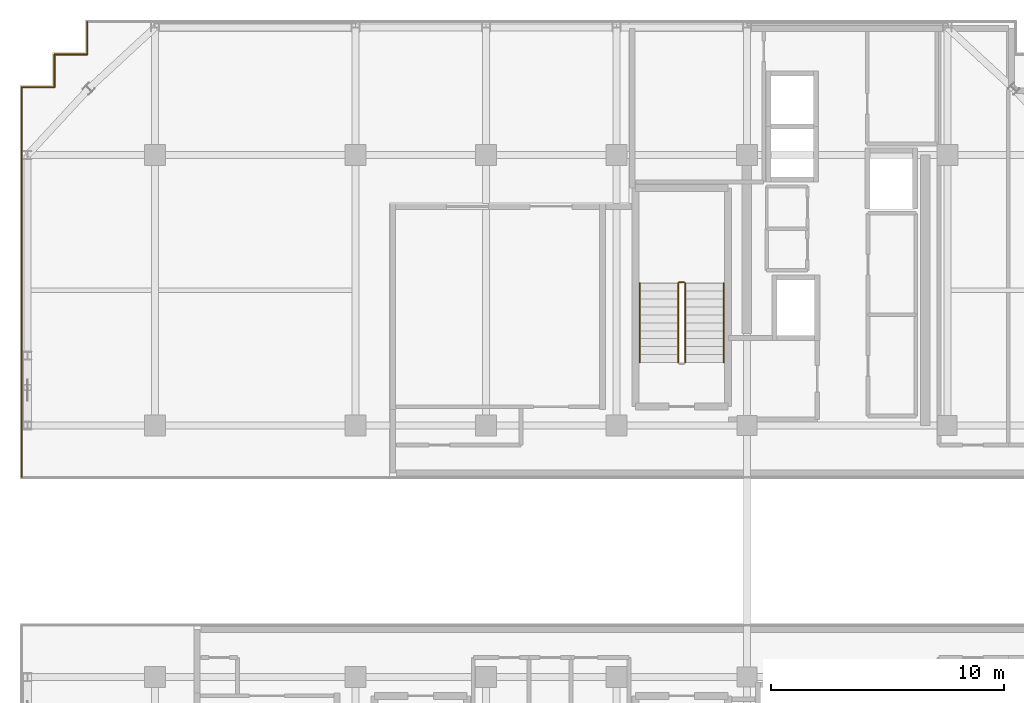
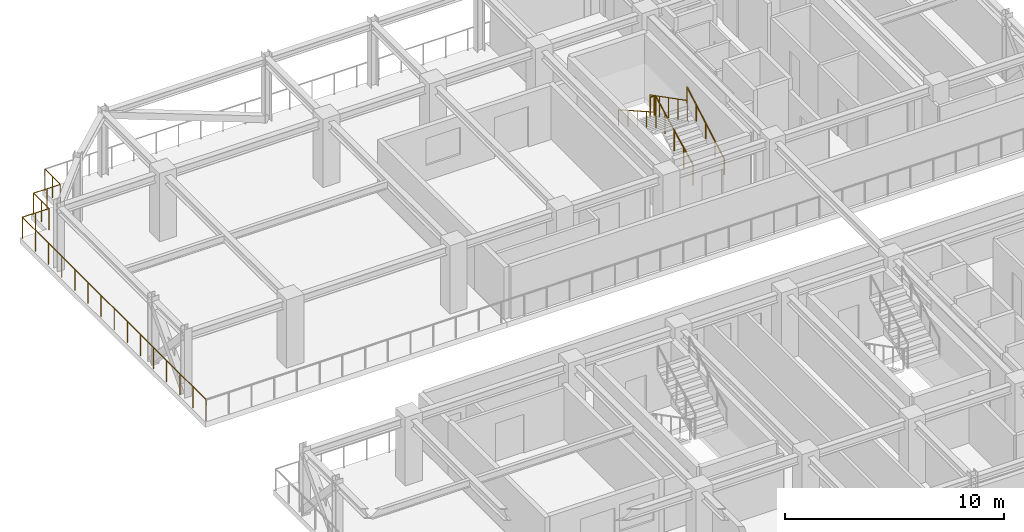
# One storey, part 13 of 14: 10 railings.
"""IFC4 building model written with IfcOpenShell, lengths in metres."""

import ifcopenshell
import ifcopenshell.guid

model = None  # the IFC model being written
_history = None  # IfcOwnerHistory: only IFC2X3 demands one
_inside = {}  # id of a spatial element -> (the spatial element, [elements in it])
_under = {}  # id of a project, library or spatial element -> (it, [spatial elements below it])
_declared = {}  # id of a project -> (the project, [libraries it declares])
_typed = {}  # id of a type object -> (the type object, [elements of that type])
_made_of = {}  # id of a material, layer set ... -> (it, [elements and type objects made of it])


def new_model(schema):
    """Start an empty IFC model of exactly this schema.

    Asked for "IFC4X3", IfcOpenShell would pick the latest addendum, in which some entities
    have other attributes; the version numbers below select the first issue.
    IFC2X3 requires an IfcOwnerHistory on every rooted entity: one is made here for all.
    """
    global model, _history
    if schema == "IFC4X3":
        model = ifcopenshell.file(schema_version=(4, 3, 0, 0))
    else:
        model = ifcopenshell.file(schema=schema)
    _inside.clear()
    _under.clear()
    _declared.clear()
    _typed.clear()
    _made_of.clear()
    _history = None
    if model.schema == "IFC2X3":
        org = make("IfcOrganization", Name="unknown")
        user = make(
            "IfcPersonAndOrganization",
            ThePerson=make("IfcPerson", FamilyName="unknown"),
            TheOrganization=org,
        )
        app = make(
            "IfcApplication",
            ApplicationDeveloper=org,
            Version="unknown",
            ApplicationFullName="unknown",
            ApplicationIdentifier="unknown",
        )
        _history = make(
            "IfcOwnerHistory",
            OwningUser=user,
            OwningApplication=app,
            ChangeAction="ADDED",
            CreationDate=0,
        )
    return model


def make(cls, **values):
    """One entity of the class cls with the attributes given. An attribute that is None is left unset."""
    return model.create_entity(
        cls, **{name: value for name, value in values.items() if value is not None}
    )


def rooted(cls, **values):
    """An entity with a GlobalId (a new one), such as an element, a storey or a relation."""
    return make(cls, GlobalId=ifcopenshell.guid.new(), OwnerHistory=_history, **values)


def si_unit(unit_type, name, prefix=None):
    """IfcSIUnit, for example si_unit("LENGTHUNIT", "METRE", prefix="MILLI")."""
    return make("IfcSIUnit", UnitType=unit_type, Prefix=prefix, Name=name)


def assignment(units):
    """IfcUnitAssignment: the units of a project."""
    return None if units is None else make("IfcUnitAssignment", Units=units)


def point(xyz):
    """IfcCartesianPoint."""
    return None if xyz is None else make("IfcCartesianPoint", Coordinates=xyz)


def direction(xyz):
    """IfcDirection."""
    return None if xyz is None else make("IfcDirection", DirectionRatios=xyz)


def frame(location, z_axis=None, x_axis=None):
    """IfcAxis2Placement3D, a coordinate frame: its origin and axes. An axis left out is left unset."""
    return make(
        "IfcAxis2Placement3D",
        Location=point(location),
        Axis=direction(z_axis),
        RefDirection=direction(x_axis),
    )


def frame_2d(location, x_axis=None):
    """IfcAxis2Placement2D, a coordinate frame in the plane: its origin and x axis."""
    return make(
        "IfcAxis2Placement2D", Location=point(location), RefDirection=direction(x_axis)
    )


def origin():
    """The frame at (0, 0, 0) with its axes left unset."""
    return frame((0.0, 0.0, 0.0))


def origin_2d():
    """The frame at (0, 0) in the plane with its x axis left unset."""
    return frame_2d((0.0, 0.0))


def place(relative_to, where):
    """IfcLocalPlacement: puts the frame where relative to a parent placement (None: the world)."""
    return make(
        "IfcLocalPlacement", PlacementRelTo=relative_to, RelativePlacement=where
    )


def context(
    kind, dimensions, precision=None, world=None, true_north=None, identifier=None
):
    """IfcGeometricRepresentationContext, for example the 3D "Model" context."""
    return make(
        "IfcGeometricRepresentationContext",
        ContextIdentifier=identifier,
        ContextType=kind,
        CoordinateSpaceDimension=dimensions,
        Precision=precision,
        WorldCoordinateSystem=world,
        TrueNorth=true_north,
    )


def subcontext(parent, identifier, kind, view, scale=None):
    """IfcGeometricRepresentationSubContext, for example "Body" below "Model"."""
    return make(
        "IfcGeometricRepresentationSubContext",
        ContextIdentifier=identifier,
        ContextType=kind,
        ParentContext=parent,
        TargetScale=scale,
        TargetView=view,
    )


def project(units=None, contexts=None):
    """IfcProject with its units and contexts."""
    return rooted(
        "IfcProject",
        Name="project",
        RepresentationContexts=contexts,
        UnitsInContext=assignment(units),
    )


def spatial(cls, under=None, at=None, **own):
    """A site, building, storey or space (cls), placed at a placement, below another one or the project."""
    s = rooted(cls, ObjectPlacement=at, **own)
    if under is not None:
        _under.setdefault(under.id(), (under, []))[1].append(s)
    return s


def profile(cls, at=None, kind="AREA", **sizes):
    """A parametric profile (cls). Its sizes go by their IFC names, for example OverallWidth=200.0."""
    return make(cls, ProfileType=kind, Position=at, **sizes)


def circle(**sizes):
    """IfcCircleProfileDef."""
    return profile("IfcCircleProfileDef", **sizes)


def extrude(swept, where, along, depth):
    """IfcExtrudedAreaSolid: the profile swept, set in the frame where, extruded along a direction by depth."""
    return make(
        "IfcExtrudedAreaSolid",
        SweptArea=swept,
        Position=where,
        ExtrudedDirection=direction(along),
        Depth=depth,
    )


def shape(context_of_items, identifier, shape_type, items):
    """IfcShapeRepresentation: the items that make up one representation, for example the "Body"."""
    return make(
        "IfcShapeRepresentation",
        ContextOfItems=context_of_items,
        RepresentationIdentifier=identifier,
        RepresentationType=shape_type,
        Items=items,
    )


def material(Name=None, Category=None):
    """IfcMaterial."""
    return make("IfcMaterial", Name=Name, Category=Category)


def made_of(thing, what):
    """Note that an element or type object is made of a material, layer set ...; save() writes the relation."""
    if what is not None:
        _made_of.setdefault(what.id(), (what, []))[1].append(thing)
    return thing


def type_object(cls, material=None, **own):
    """A type object (cls), such as IfcWallType, which elements share."""
    return made_of(rooted(cls, **own), material)


def element(
    cls,
    number,
    at=None,
    inside=None,
    cuts=None,
    type_object=None,
    material=None,
    context=None,
    identifier="Body",
    shape_type=None,
    held_by="IfcProductDefinitionShape",
    body=None,
    shapes=None,
    **own,
):
    """One element of the class cls, such as IfcWall. Its Tag is "e" and its number.

    at: its placement. inside: the storey or other place that contains it. cuts: it is an
    opening in that element (IfcRelVoidsElement). A single representation is given by context,
    identifier, shape_type and body (its items); several are given by shapes. held_by: the class
    of the entity that holds the representations. save() writes the other relations.
    """
    e = rooted(cls, Tag="e%d" % number, ObjectPlacement=at, **own)
    if body is not None:
        shapes = [shape(context, identifier, shape_type, body)]
    if shapes is not None:
        e.Representation = make(held_by, Representations=shapes)
    if inside is not None:
        _inside.setdefault(inside.id(), (inside, []))[1].append(e)
    if cuts is not None:
        rooted(
            "IfcRelVoidsElement", RelatingBuildingElement=cuts, RelatedOpeningElement=e
        )
    if type_object is not None:
        _typed.setdefault(type_object.id(), (type_object, []))[1].append(e)
    return made_of(e, material)


def aggregate(whole, parts):
    """IfcRelAggregates: a whole, such as a stair, and the parts it consists of."""
    return rooted("IfcRelAggregates", RelatingObject=whole, RelatedObjects=parts)


def save(model, path):
    """Write the relations noted so far, then the file.

    IfcRelAggregates (storeys below a building ...), IfcRelContainedInSpatialStructure (elements
    in a storey), IfcRelDefinesByType, IfcRelAssociatesMaterial and IfcRelDeclares: one each for
    every whole, place, type object, material and project.
    """
    for whole, parts in _under.values():
        aggregate(whole, parts)
    for where, things in _inside.values():
        rooted(
            "IfcRelContainedInSpatialStructure",
            RelatedElements=things,
            RelatingStructure=where,
        )
    for kind, things in _typed.values():
        rooted("IfcRelDefinesByType", RelatedObjects=things, RelatingType=kind)
    for what, things in _made_of.values():
        rooted("IfcRelAssociatesMaterial", RelatedObjects=things, RelatingMaterial=what)
    for by, libraries in _declared.values():
        rooted("IfcRelDeclares", RelatingContext=by, RelatedDefinitions=libraries)
    model.write(path)


model = new_model("IFC4")

# Units and contexts
model_context = context("Model", 3, precision=1e-05, world=origin(), true_north=direction((0.0, 1.0)))
body_context = subcontext(model_context, "Body", "Model", "MODEL_VIEW")
ifc_project = project(units=[si_unit("LENGTHUNIT", "METRE"), si_unit("AREAUNIT", "SQUARE_METRE"), si_unit("VOLUMEUNIT", "CUBIC_METRE"), si_unit("PLANEANGLEUNIT", "RADIAN"), si_unit("MASSUNIT", "GRAM", prefix="KILO")], contexts=[model_context])

# Site, building, storey
site_placement = place(None, origin())
site = spatial("IfcSite", under=ifc_project, at=site_placement, CompositionType="ELEMENT")
building_placement = place(site_placement, origin())
building = spatial("IfcBuilding", under=site, at=building_placement, Name="Nahalor Promenade Grand Hotel", CompositionType="ELEMENT")
storey_placement = place(building_placement, frame((0.0, 0.0, 300.35009765625)))
storey = spatial("IfcBuildingStorey", under=building, at=storey_placement, Name="L77", CompositionType="ELEMENT", Elevation=300.35009765625)

# Railings
ifc_material_1 = material(Name="Anodised Bronze Aluminium EN AW-6063 T6", Category="aluminium")
railing_type_1 = type_object("IfcRailingType", Name="Bronze Balcony Guardrail 1200 mm", PredefinedType="GUARDRAIL", material=ifc_material_1)
railing_1_placement = place(storey_placement, frame((-19.919921875, 22.719970703125, 0.0)))
element("IfcRailing", 1, at=railing_1_placement, inside=storey, type_object=railing_type_1, Name="L77 Edge Guardrail RL-L77-WP-N-8", PredefinedType="GUARDRAIL", context=body_context, shape_type="SweptSolid", body=[
    extrude(circle(Radius=0.024048, at=origin_2d()), frame((0.0, 0.0, 1.17578125), z_axis=(0.0, -1.0, 0.0), x_axis=(1.0, 0.0, 0.0)), (0.0, 0.0, 1.0), 1.39990234375),
    extrude(circle(Radius=0.020996, at=origin_2d()), origin(), (0.0, 0.0, 1.0), 1.14990234375),
    extrude(circle(Radius=0.020996, at=origin_2d()), frame((0.0, -0.699951171875, 0.0)), (0.0, 0.0, 1.0), 1.14990234375),
    extrude(circle(Radius=0.020996, at=origin_2d()), frame((0.0, -1.39990234375, 0.0)), (0.0, 0.0, 1.0), 1.14990234375),
])
railing_2_placement = place(storey_placement, frame((-19.919921875, 21.320068359375, 0.0)))
element("IfcRailing", 2, at=railing_2_placement, inside=storey, type_object=railing_type_1, Name="L77 Edge Guardrail RL-L77-WP-N-9", PredefinedType="GUARDRAIL", context=body_context, shape_type="SweptSolid", body=[
    extrude(circle(Radius=0.024048, at=origin_2d()), frame((0.0, 0.0, 1.17578125), z_axis=(-1.0, 0.0, 0.0), x_axis=(0.0, -1.0, 0.0)), (0.0, 0.0, 1.0), 1.400146484375),
    extrude(circle(Radius=0.020996, at=origin_2d()), origin(), (0.0, 0.0, 1.0), 1.14990234375),
    extrude(circle(Radius=0.020996, at=origin_2d()), frame((-0.7001953125, 0.0, 0.0)), (0.0, 0.0, 1.0), 1.14990234375),
    extrude(circle(Radius=0.020996, at=origin_2d()), frame((-1.400146484375, 0.0, 0.0)), (0.0, 0.0, 1.0), 1.14990234375),
])
railing_3_placement = place(storey_placement, frame((-21.320068359375, 21.320068359375, 0.0)))
element("IfcRailing", 3, at=railing_3_placement, inside=storey, type_object=railing_type_1, Name="L77 Edge Guardrail RL-L77-WP-N-10", PredefinedType="GUARDRAIL", context=body_context, shape_type="SweptSolid", body=[
    extrude(circle(Radius=0.024048, at=origin_2d()), frame((0.0, 0.0, 1.17578125), z_axis=(0.0, -1.0, 0.0), x_axis=(1.0, 0.0, 0.0)), (0.0, 0.0, 1.0), 1.400146484375),
    extrude(circle(Radius=0.020996, at=origin_2d()), origin(), (0.0, 0.0, 1.0), 1.14990234375),
    extrude(circle(Radius=0.020996, at=origin_2d()), frame((0.0, -0.7001953125, 0.0)), (0.0, 0.0, 1.0), 1.14990234375),
    extrude(circle(Radius=0.020996, at=origin_2d()), frame((0.0, -1.400146484375, 0.0)), (0.0, 0.0, 1.0), 1.14990234375),
])
railing_4_placement = place(storey_placement, frame((-21.320068359375, 19.919921875, 0.0)))
element("IfcRailing", 4, at=railing_4_placement, inside=storey, type_object=railing_type_1, Name="L77 Edge Guardrail RL-L77-WP-N-11", PredefinedType="GUARDRAIL", context=body_context, shape_type="SweptSolid", body=[
    extrude(circle(Radius=0.024048, at=origin_2d()), frame((0.0, 0.0, 1.17578125), z_axis=(-1.0, 0.0, 0.0), x_axis=(0.0, -1.0, 0.0)), (0.0, 0.0, 1.0), 1.39990234375),
    extrude(circle(Radius=0.020996, at=origin_2d()), origin(), (0.0, 0.0, 1.0), 1.14990234375),
    extrude(circle(Radius=0.020996, at=origin_2d()), frame((-0.699951171875, 0.0, 0.0)), (0.0, 0.0, 1.0), 1.14990234375),
    extrude(circle(Radius=0.020996, at=origin_2d()), frame((-1.39990234375, 0.0, 0.0)), (0.0, 0.0, 1.0), 1.14990234375),
])
railing_5_placement = place(storey_placement, frame((-22.719970703125, 19.919921875, 0.0)))
element("IfcRailing", 5, at=railing_5_placement, inside=storey, type_object=railing_type_1, Name="L77 Edge Guardrail RL-L77-WP-N-12", PredefinedType="GUARDRAIL", context=body_context, shape_type="SweptSolid", body=[
    extrude(circle(Radius=0.024048, at=origin_2d()), frame((0.0, 0.0, 1.17578125), z_axis=(0.0, -1.0, 0.0), x_axis=(1.0, 0.0, 0.0)), (0.0, 0.0, 1.0), 16.739990234375),
    extrude(circle(Radius=0.020996, at=origin_2d()), origin(), (0.0, 0.0, 1.0), 1.14990234375),
    extrude(circle(Radius=0.020996, at=origin_2d()), frame((0.0, -1.19580078125, 0.0)), (0.0, 0.0, 1.0), 1.14990234375),
    extrude(circle(Radius=0.020996, at=origin_2d()), frame((0.0, -2.391357421875, 0.0)), (0.0, 0.0, 1.0), 1.14990234375),
    extrude(circle(Radius=0.020996, at=origin_2d()), frame((0.0, -3.587158203125, 0.0)), (0.0, 0.0, 1.0), 1.14990234375),
    extrude(circle(Radius=0.020996, at=origin_2d()), frame((0.0, -4.782958984375, 0.0)), (0.0, 0.0, 1.0), 1.14990234375),
    extrude(circle(Radius=0.020996, at=origin_2d()), frame((0.0, -5.978515625, 0.0)), (0.0, 0.0, 1.0), 1.14990234375),
    extrude(circle(Radius=0.020996, at=origin_2d()), frame((0.0, -7.17431640625, 0.0)), (0.0, 0.0, 1.0), 1.14990234375),
    extrude(circle(Radius=0.020996, at=origin_2d()), frame((0.0, -8.3701171875, 0.0)), (0.0, 0.0, 1.0), 1.14990234375),
    extrude(circle(Radius=0.020996, at=origin_2d()), frame((0.0, -9.565673828125, 0.0)), (0.0, 0.0, 1.0), 1.14990234375),
    extrude(circle(Radius=0.020996, at=origin_2d()), frame((0.0, -10.761474609375, 0.0)), (0.0, 0.0, 1.0), 1.14990234375),
    extrude(circle(Radius=0.020996, at=origin_2d()), frame((0.0, -11.95703125, 0.0)), (0.0, 0.0, 1.0), 1.14990234375),
    extrude(circle(Radius=0.020996, at=origin_2d()), frame((0.0, -13.15283203125, 0.0)), (0.0, 0.0, 1.0), 1.14990234375),
    extrude(circle(Radius=0.020996, at=origin_2d()), frame((0.0, -14.3486328125, 0.0)), (0.0, 0.0, 1.0), 1.14990234375),
    extrude(circle(Radius=0.020996, at=origin_2d()), frame((0.0, -15.544189453125, 0.0)), (0.0, 0.0, 1.0), 1.14990234375),
    extrude(circle(Radius=0.020996, at=origin_2d()), frame((0.0, -16.739990234375, 0.0)), (0.0, 0.0, 1.0), 1.14990234375),
])
ifc_material_2 = material(Name="Steel S355JR", Category="steel")
railing_type_2 = type_object("IfcRailingType", Name="Steel Stair Guardrail 1150 mm", PredefinedType="GUARDRAIL", material=ifc_material_2)
railing_6_placement = place(storey_placement, frame((5.75, 8.10009765625, 0.1748046875)))
element("IfcRailing", 6, at=railing_6_placement, inside=storey, type_object=railing_type_2, Name="L77 ST1 stair guard 1", PredefinedType="GUARDRAIL", context=body_context, shape_type="SweptSolid", body=[
    extrude(circle(Radius=0.024048, at=origin_2d()), frame((0.0, 0.0, 1.1259765625), z_axis=(0.0, 0.889130461562, 0.457653823673), x_axis=(-1.0, 0.0, 0.0)), (0.0, 0.0, 1.0), 3.82373046875),
    extrude(circle(Radius=0.020996, at=origin_2d()), origin(), (0.0, 0.0, 1.0), 1.099853515625),
    extrude(circle(Radius=0.020996, at=origin_2d()), frame((0.0, 0.85009765625, 0.4375)), (0.0, 0.0, 1.0), 1.099853515625),
    extrude(circle(Radius=0.020996, at=origin_2d()), frame((0.0, 1.699951171875, 0.875)), (0.0, 0.0, 1.0), 1.099853515625),
    extrude(circle(Radius=0.020996, at=origin_2d()), frame((0.0, 2.5498046875, 1.3125)), (0.0, 0.0, 1.0), 1.099853515625),
    extrude(circle(Radius=0.020996, at=origin_2d()), frame((0.0, 3.39990234375, 1.75)), (0.0, 0.0, 1.0), 1.099853515625),
])
railing_7_placement = place(storey_placement, frame((5.699951171875, 11.550048828125, 1.9248046875)))
element("IfcRailing", 7, at=railing_7_placement, inside=storey, type_object=railing_type_2, Name="L77 ST1 stair guard 2", PredefinedType="GUARDRAIL", context=body_context, shape_type="SweptSolid", body=[
    extrude(circle(Radius=0.024048, at=origin_2d()), frame((0.0, 0.0, 1.1259765625), z_axis=(-1.0, 0.0, 0.0), x_axis=(0.0, -1.0, 0.0)), (0.0, 0.0, 1.0), 0.199951171875),
    extrude(circle(Radius=0.020996, at=origin_2d()), origin(), (0.0, 0.0, 1.0), 1.099853515625),
    extrude(circle(Radius=0.020996, at=origin_2d()), frame((-0.199951171875, 0.0, 0.0)), (0.0, 0.0, 1.0), 1.099853515625),
])
railing_8_placement = place(storey_placement, frame((5.449951171875, 11.5, 2.099853515625)))
element("IfcRailing", 8, at=railing_8_placement, inside=storey, type_object=railing_type_2, Name="L77 ST1 stair guard 3", PredefinedType="GUARDRAIL", context=body_context, shape_type="SweptSolid", body=[
    extrude(circle(Radius=0.024048, at=origin_2d()), frame((0.0, 0.0, 1.1259765625), z_axis=(0.0, -0.889130461562, 0.457653823673), x_axis=(1.0, 0.0, 0.0)), (0.0, 0.0, 1.0), 3.82373046875),
    extrude(circle(Radius=0.020996, at=origin_2d()), origin(), (0.0, 0.0, 1.0), 1.099853515625),
    extrude(circle(Radius=0.020996, at=origin_2d()), frame((0.0, -0.85009765625, 0.4375)), (0.0, 0.0, 1.0), 1.099853515625),
    extrude(circle(Radius=0.020996, at=origin_2d()), frame((0.0, -1.699951171875, 0.875)), (0.0, 0.0, 1.0), 1.099853515625),
    extrude(circle(Radius=0.020996, at=origin_2d()), frame((0.0, -2.5498046875, 1.3125)), (0.0, 0.0, 1.0), 1.099853515625),
    extrude(circle(Radius=0.020996, at=origin_2d()), frame((0.0, -3.39990234375, 1.75)), (0.0, 0.0, 1.0), 1.099853515625),
])
railing_type_3 = type_object("IfcRailingType", Name="Steel Stair Handrail 900 mm", PredefinedType="HANDRAIL", material=ifc_material_2)
railing_9_placement = place(storey_placement, frame((7.39990234375, 8.10009765625, 0.1748046875)))
element("IfcRailing", 9, at=railing_9_placement, inside=storey, type_object=railing_type_3, Name="L77 ST1 stair handrail 1", PredefinedType="HANDRAIL", context=body_context, shape_type="SweptSolid", body=[
    extrude(circle(Radius=0.024048, at=origin_2d()), frame((0.0, 0.0, 0.8759765625), z_axis=(0.0, 0.870193670192, 0.492709829776), x_axis=(-1.0, 0.0, 0.0)), (0.0, 0.0, 1.0), 3.906982421875),
    extrude(circle(Radius=0.020996, at=origin_2d()), origin(), (0.0, 0.0, 1.0), 0.849853515625),
    extrude(circle(Radius=0.020996, at=origin_2d()), frame((0.0, 0.85009765625, 0.481201171875)), (0.0, 0.0, 1.0), 0.849853515625),
    extrude(circle(Radius=0.020996, at=origin_2d()), frame((0.0, 1.699951171875, 0.96240234375)), (0.0, 0.0, 1.0), 0.849853515625),
    extrude(circle(Radius=0.020996, at=origin_2d()), frame((0.0, 2.5498046875, 1.44384765625)), (0.0, 0.0, 1.0), 0.849853515625),
    extrude(circle(Radius=0.020996, at=origin_2d()), frame((0.0, 3.39990234375, 1.925048828125)), (0.0, 0.0, 1.0), 0.849853515625),
])
railing_10_placement = place(storey_placement, frame((3.800048828125, 11.5, 2.099853515625)))
element("IfcRailing", 10, at=railing_10_placement, inside=storey, type_object=railing_type_3, Name="L77 ST1 stair handrail 2", PredefinedType="HANDRAIL", context=body_context, shape_type="SweptSolid", body=[
    extrude(circle(Radius=0.024048, at=origin_2d()), frame((0.0, 0.0, 0.8759765625), z_axis=(0.0, -0.870193670192, 0.492709829776), x_axis=(1.0, 0.0, 0.0)), (0.0, 0.0, 1.0), 3.906982421875),
    extrude(circle(Radius=0.020996, at=origin_2d()), origin(), (0.0, 0.0, 1.0), 0.849853515625),
    extrude(circle(Radius=0.020996, at=origin_2d()), frame((0.0, -0.85009765625, 0.481201171875)), (0.0, 0.0, 1.0), 0.849853515625),
    extrude(circle(Radius=0.020996, at=origin_2d()), frame((0.0, -1.699951171875, 0.96240234375)), (0.0, 0.0, 1.0), 0.849853515625),
    extrude(circle(Radius=0.020996, at=origin_2d()), frame((0.0, -2.5498046875, 1.44384765625)), (0.0, 0.0, 1.0), 0.849853515625),
    extrude(circle(Radius=0.020996, at=origin_2d()), frame((0.0, -3.39990234375, 1.925048828125)), (0.0, 0.0, 1.0), 0.849853515625),
])

save(model, "model.ifc")
